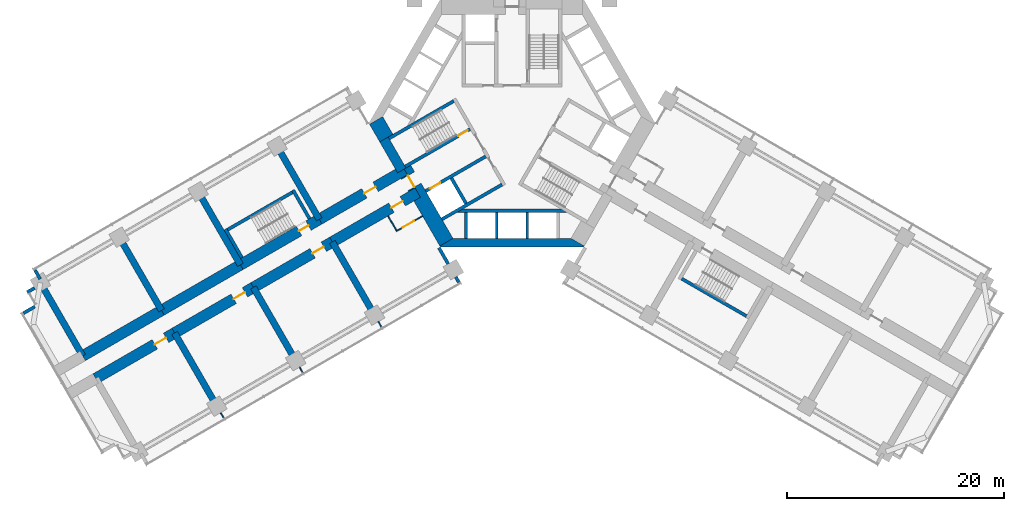
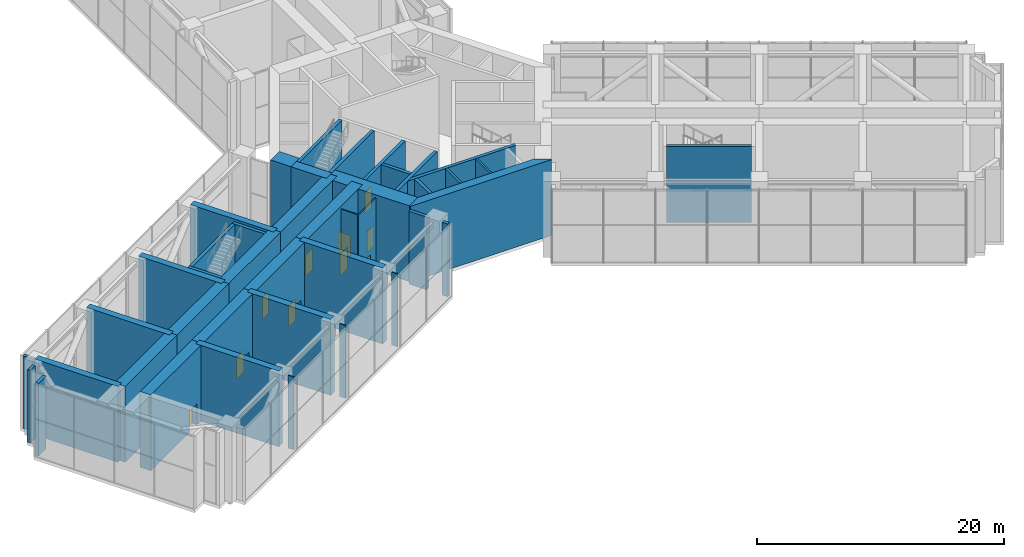
# One storey, part 13 of 19: 42 walls, 10 doors, 10 openings.
"""IFC4 building model written with IfcOpenShell, lengths in metres."""

from ifc_helpers import new_model, si_unit, direction, frame, frame_2d, origin, place, context, subcontext, project, spatial, polyline, rectangle, outline, extrude, material, layer, layer_set, type_object, element, fill, save


model = new_model("IFC4")

# Units and contexts
model_context = context("Model", 3, precision=1e-05, world=origin(), true_north=direction((0.0, 1.0)))
body_context = subcontext(model_context, "Body", "Model", "MODEL_VIEW")
ifc_project = project(units=[si_unit("LENGTHUNIT", "METRE"), si_unit("AREAUNIT", "SQUARE_METRE"), si_unit("VOLUMEUNIT", "CUBIC_METRE"), si_unit("PLANEANGLEUNIT", "RADIAN"), si_unit("MASSUNIT", "GRAM", prefix="KILO")], contexts=[model_context])

# Site, building, storey
site_placement = place(None, origin())
site = spatial("IfcSite", under=ifc_project, at=site_placement, CompositionType="ELEMENT")
building_placement = place(site_placement, origin())
building = spatial("IfcBuilding", under=site, at=building_placement, Name="Impinga Residences", CompositionType="ELEMENT")
storey_placement = place(building_placement, frame((0.0, 0.0, 93.5)))
storey = spatial("IfcBuildingStorey", under=building, at=storey_placement, Name="L23", CompositionType="ELEMENT", Elevation=93.5)

# Wall, opening, door
ifc_material_1 = material(Name="Concrete blockwork", Category="masonry")
ifc_layer_1 = layer(ifc_material_1, 0.10009765625)
ifc_layer_set_1 = layer_set([ifc_layer_1], Name="CP1 core room partition, blockwork 100")
wall_type_1 = type_object("IfcWallType", Name="CP1 core room partition, blockwork 100", PredefinedType="PARTITIONING", material=ifc_layer_set_1)
wall_1_placement = place(storey_placement, frame((-8.25, -8.57373046875, 0.0), z_axis=(0.0, 0.0, 1.0), x_axis=(-0.866034573852, -0.49998411664, 0.0)))
wall_1 = element("IfcWall", 1, at=wall_1_placement, inside=storey, type_object=wall_type_1, Name="Core room partition, blockwork L23-WA1:L1", PredefinedType="PARTITIONING", context=body_context, shape_type="SweptSolid", body=[
    extrude(rectangle(XDim=2.7998046875, YDim=0.10009765625, at=frame_2d((1.39990234375, 0.0))), origin(), (0.0, 0.0, 1.0), 7.199951171875),
])
opening_1_placement = place(wall_1_placement, frame((0.89990234375, 0.0, 0.0)))
opening_1 = element("IfcOpeningElement", 2, at=opening_1_placement, cuts=wall_1, Name="Opening D3", PredefinedType="OPENING", context=body_context, shape_type="SweptSolid", body=[
    extrude(rectangle(XDim=1.199951171875, YDim=2.10009765625, at=frame_2d((0.60009765625, 1.050048828125))), frame((0.0, 0.06005859375, 0.0), z_axis=(0.0, -1.0, 0.0), x_axis=(1.0, 0.0, 0.0)), (0.0, 0.0, 1.0), 0.1201171875),
])
ifc_material_2 = material(Name="Timber door set", Category="wood")
door_type_1 = type_object("IfcDoorType", Name="D3 room door, leaf and a half 1200x2100", OperationType="DOUBLE_SWING_LEFT", PredefinedType="DOOR", material=ifc_material_2)
door_1_placement = place(opening_1_placement, origin())
door_1 = element("IfcDoor", 3, at=door_1_placement, inside=storey, type_object=door_type_1, Name="Electrical switchgear plant room door L23-WA1", OperationType="DOUBLE_SWING_LEFT", OverallHeight=2.10009765625, OverallWidth=1.199951171875, PredefinedType="DOOR", context=body_context, shape_type="SweptSolid", body=[
    extrude(rectangle(XDim=1.199951171875, YDim=2.10009765625, at=frame_2d((0.60009765625, 1.050048828125))), frame((0.0, 0.02490234375, 0.0), z_axis=(0.0, -1.0, 0.0), x_axis=(1.0, 0.0, 0.0)), (0.0, 0.0, 1.0), 0.050048828125),
])
fill(opening_1, door_1)

# Walls
wall_2_placement = place(storey_placement, frame((-11.431640625, -8.56298828125, 0.0), z_axis=(0.0, 0.0, 1.0), x_axis=(0.500086022567, -0.865975732936, 0.0)))
element("IfcWall", 4, at=wall_2_placement, inside=storey, type_object=wall_type_1, Name="Core room partition, blockwork L23-WA1:L2", PredefinedType="PARTITIONING", context=body_context, shape_type="SweptSolid", body=[
    extrude(rectangle(XDim=1.550048828125, YDim=0.10009765625, at=frame_2d((0.77490234375, 0.0))), origin(), (0.0, 0.0, 1.0), 7.199951171875),
])
for number, where, z_axis, x_axis, name in (
    (5, (-12.32470703125, -18.316162109375, 0.0), (0.0, 0.0, 1.0), (0.499986818241, -0.866033014143, 0.0), "Core room partition, blockwork L23-WA1:PS1b"),
    (6, (-19.59912109375, -22.51611328125, 0.0), (0.0, 0.0, 1.0), (0.499659488908, -0.866221908719, 0.0), "Core room partition, blockwork L23-WA1:PS2b"),
):
    element("IfcWall", number, at=place(storey_placement, frame(where, z_axis=z_axis, x_axis=x_axis)), inside=storey, type_object=wall_type_1, Name=name, PredefinedType="PARTITIONING", context=body_context, shape_type="SweptSolid", body=[
        extrude(rectangle(XDim=0.5595703125, YDim=0.10009765625, at=frame_2d((0.27978515625, 0.0))), origin(), (0.0, 0.0, 1.0), 7.199951171875),
    ])
wall_3_placement = place(storey_placement, frame((-26.873779296875, -26.71630859375, 0.0), z_axis=(0.0, 0.0, 1.0), x_axis=(0.500175792954, -0.865923885883, 0.0)))
element("IfcWall", 7, at=wall_3_placement, inside=storey, type_object=wall_type_1, Name="Core room partition, blockwork L23-WA1:PS3b", PredefinedType="PARTITIONING", context=body_context, shape_type="SweptSolid", body=[
    extrude(rectangle(XDim=0.559326171875, YDim=0.10009765625, at=frame_2d((0.27978515625, 0.0))), origin(), (0.0, 0.0, 1.0), 7.199951171875),
])
ifc_material_3 = material(Name="Stone facing on blockwork", Category="masonry")
ifc_layer_2 = layer(ifc_material_3, 0.300048828125)
ifc_layer_set_2 = layer_set([ifc_layer_2], Name="EW2 external wall, stone facing on blockwork 300")
wall_type_2 = type_object("IfcWallType", Name="EW2 external wall, stone facing on blockwork 300", PredefinedType="SOLIDWALL", material=ifc_layer_set_2)
wall_4_placement = place(storey_placement, frame((-45.0615234375, -17.529296875, 0.0), z_axis=(0.0, 0.0, 1.0), x_axis=(0.865971428223, 0.500093476763, 0.0)))
element("IfcWall", 8, at=wall_4_placement, inside=storey, type_object=wall_type_2, Name="External wall EW2 L23", PredefinedType="SOLIDWALL", context=body_context, shape_type="SweptSolid", body=[
    extrude(rectangle(XDim=1.215087890625, YDim=0.300048828125, at=frame_2d((0.607421875, 0.0))), origin(), (0.0, 0.0, 1.0), 7.199951171875),
])
wall_5_placement = place(storey_placement, frame((-44.722412109375, -15.6015625, 0.0), z_axis=(0.0, 0.0, 1.0), x_axis=(0.865915193073, 0.500190841984, 0.0)))
element("IfcWall", 9, at=wall_5_placement, inside=storey, type_object=wall_type_2, Name="External wall EW2 L23", PredefinedType="SOLIDWALL", context=body_context, shape_type="SweptSolid", body=[
    extrude(rectangle(XDim=0.797119140625, YDim=0.300048828125, at=frame_2d((0.3984375, 0.0))), origin(), (0.0, 0.0, 1.0), 7.199951171875),
])
wall_6_placement = place(storey_placement, frame((-43.5185546875, -14.38671875, 0.0), z_axis=(0.0, 0.0, 1.0), x_axis=(-0.500060909899, 0.865990234582, 0.0)))
element("IfcWall", 10, at=wall_6_placement, inside=storey, type_object=wall_type_2, Name="External wall EW2 L23", PredefinedType="SOLIDWALL", context=body_context, shape_type="SweptSolid", body=[
    extrude(rectangle(XDim=0.95751953125, YDim=0.300048828125, at=frame_2d((0.478759765625, 0.0))), origin(), (0.0, 0.0, 1.0), 7.199951171875),
])
wall_7_placement = place(storey_placement, frame((-6.72998046875, -11.506591796875, 0.0), z_axis=(0.0, 0.0, 1.0), x_axis=(0.500062241894, -0.865989465428, 0.0)))
element("IfcWall", 11, at=wall_7_placement, inside=storey, type_object=wall_type_2, Name="External wall EW2 L23", PredefinedType="SOLIDWALL", context=body_context, shape_type="SweptSolid", body=[
    extrude(rectangle(XDim=1.699951171875, YDim=0.300048828125, at=frame_2d((0.85009765625, 0.0))), origin(), (0.0, 0.0, 1.0), 7.199951171875),
])
wall_8_placement = place(storey_placement, frame((-5.179931640625, -14.191162109375, 0.0), z_axis=(0.0, 0.0, 1.0), x_axis=(0.500000383388, -0.866025182435, 0.0)))
element("IfcWall", 12, at=wall_8_placement, inside=storey, type_object=wall_type_2, Name="External wall EW2 L23", PredefinedType="SOLIDWALL", context=body_context, shape_type="SweptSolid", body=[
    extrude(rectangle(XDim=0.5576171875, YDim=0.300048828125, at=frame_2d((0.27880859375, 0.0))), origin(), (0.0, 0.0, 1.0), 7.199951171875),
])

# Wall, opening, door
ifc_material_4 = material(Name="Concrete C60/75", Category="concrete")
ifc_layer_3 = layer(ifc_material_4, 1.0)
ifc_layer_set_3 = layer_set([ifc_layer_3], Name="Concrete C60/75")
wall_type_3 = type_object("IfcWallType", Name="OW1 outrigger wall on the corridor line 1000", PredefinedType="SHEAR", material=ifc_layer_set_3)
wall_9_placement = place(storey_placement, frame((-8.69384765625, -6.405029296875, 0.0), z_axis=(0.0, 0.0, 1.0), x_axis=(-0.866023855101, -0.500002682389, 0.0)))
wall_9 = element("IfcWall", 13, at=wall_9_placement, inside=storey, type_object=wall_type_3, Name="Corridor wall OW1 WC L23", PredefinedType="SHEAR", context=body_context, shape_type="SweptSolid", body=[
    extrude(rectangle(XDim=9.10009765625, YDim=1.0, at=frame_2d((4.550048828125, 0.0))), origin(), (0.0, 0.0, 1.0), 7.5),
])
opening_2_placement = place(wall_9_placement, frame((1.60009765625, 0.0, 0.0)))
opening_2 = element("IfcOpeningElement", 14, at=opening_2_placement, cuts=wall_9, Name="Opening D3", PredefinedType="OPENING", context=body_context, shape_type="SweptSolid", body=[
    extrude(rectangle(XDim=1.199951171875, YDim=2.10009765625, at=frame_2d((0.60009765625, 1.050048828125))), frame((0.0, 0.510009765625, 0.0), z_axis=(0.0, -1.0, 0.0), x_axis=(1.0, 0.0, 0.0)), (0.0, 0.0, 1.0), 1.02001953125),
])
door_2_placement = place(opening_2_placement, origin())
door_2 = element("IfcDoor", 15, at=door_2_placement, inside=storey, type_object=door_type_1, Name="Plant room lobby door L23-WA1", OperationType="DOUBLE_SWING_LEFT", OverallHeight=2.10009765625, OverallWidth=1.199951171875, PredefinedType="DOOR", context=body_context, shape_type="SweptSolid", body=[
    extrude(rectangle(XDim=1.199951171875, YDim=2.10009765625, at=frame_2d((0.60009765625, 1.050048828125))), frame((0.0, 0.02490234375, 0.0), z_axis=(0.0, -1.0, 0.0), x_axis=(1.0, 0.0, 0.0)), (0.0, 0.0, 1.0), 0.050048828125),
])
fill(opening_2, door_2)

wall_10_placement = place(storey_placement, frame((-16.57470703125, -10.955078125, 0.0), z_axis=(0.0, 0.0, 1.0), x_axis=(-0.866021988312, -0.500005915725, 0.0)))
wall_10 = element("IfcWall", 16, at=wall_10_placement, inside=storey, type_object=wall_type_3, Name="Corridor wall OW1 WC L23", PredefinedType="SHEAR", context=body_context, shape_type="SweptSolid", body=[
    extrude(rectangle(XDim=8.39990234375, YDim=1.0, at=frame_2d((4.199951171875, 0.0))), origin(), (0.0, 0.0, 1.0), 7.5),
])
opening_3_placement = place(wall_10_placement, frame((0.89990234375, 0.0, 0.0)))
opening_3 = element("IfcOpeningElement", 17, at=opening_3_placement, cuts=wall_10, Name="Opening D3", PredefinedType="OPENING", context=body_context, shape_type="SweptSolid", body=[
    extrude(rectangle(XDim=1.199951171875, YDim=2.10009765625, at=frame_2d((0.60009765625, 1.050048828125))), frame((0.0, 0.510009765625, 0.0), z_axis=(0.0, -1.0, 0.0), x_axis=(1.0, 0.0, 0.0)), (0.0, 0.0, 1.0), 1.02001953125),
])
door_3_placement = place(opening_3_placement, origin())
door_3 = element("IfcDoor", 18, at=door_3_placement, inside=storey, type_object=door_type_1, Name="Chilled water plant room door L23-WA1", OperationType="DOUBLE_SWING_LEFT", OverallHeight=2.10009765625, OverallWidth=1.199951171875, PredefinedType="DOOR", context=body_context, shape_type="SweptSolid", body=[
    extrude(rectangle(XDim=1.199951171875, YDim=2.10009765625, at=frame_2d((0.60009765625, 1.050048828125))), frame((0.0, 0.02490234375, 0.0), z_axis=(0.0, -1.0, 0.0), x_axis=(1.0, 0.0, 0.0)), (0.0, 0.0, 1.0), 0.050048828125),
])
fill(opening_3, door_3)

wall_11_placement = place(storey_placement, frame((-23.84912109375, -15.155029296875, 0.0), z_axis=(0.0, 0.0, 1.0), x_axis=(-0.86602925447, -0.499993330357, 0.0)))
wall_11 = element("IfcWall", 19, at=wall_11_placement, inside=storey, type_object=wall_type_3, Name="Corridor wall OW1 WC L23", PredefinedType="SHEAR", context=body_context, shape_type="SweptSolid", body=[
    extrude(rectangle(XDim=8.39990234375, YDim=1.0, at=frame_2d((4.199951171875, 0.0))), origin(), (0.0, 0.0, 1.0), 7.5),
])
opening_4_placement = place(wall_11_placement, frame((0.89990234375, 0.0, 0.0)))
opening_4 = element("IfcOpeningElement", 20, at=opening_4_placement, cuts=wall_11, Name="Opening D3", PredefinedType="OPENING", context=body_context, shape_type="SweptSolid", body=[
    extrude(rectangle(XDim=1.199951171875, YDim=2.10009765625, at=frame_2d((0.60009765625, 1.050048828125))), frame((0.0, 0.510009765625, 0.0), z_axis=(0.0, -1.0, 0.0), x_axis=(1.0, 0.0, 0.0)), (0.0, 0.0, 1.0), 1.02001953125),
])
door_4_placement = place(opening_4_placement, origin())
door_4 = element("IfcDoor", 21, at=door_4_placement, inside=storey, type_object=door_type_1, Name="Water tank plant room door L23-WA1", OperationType="DOUBLE_SWING_LEFT", OverallHeight=2.10009765625, OverallWidth=1.199951171875, PredefinedType="DOOR", context=body_context, shape_type="SweptSolid", body=[
    extrude(rectangle(XDim=1.199951171875, YDim=2.10009765625, at=frame_2d((0.60009765625, 1.050048828125))), frame((0.0, 0.02490234375, 0.0), z_axis=(0.0, -1.0, 0.0), x_axis=(1.0, 0.0, 0.0)), (0.0, 0.0, 1.0), 0.050048828125),
])
fill(opening_4, door_4)

wall_12_placement = place(storey_placement, frame((-31.123779296875, -19.35498046875, 0.0), z_axis=(0.0, 0.0, 1.0), x_axis=(-0.86602925447, -0.499993330357, 0.0)))
wall_12 = element("IfcWall", 22, at=wall_12_placement, inside=storey, type_object=wall_type_3, Name="Corridor wall OW1 WC L23", PredefinedType="SHEAR", context=body_context, shape_type="SweptSolid", body=[
    extrude(rectangle(XDim=8.39990234375, YDim=1.0, at=frame_2d((4.199951171875, 0.0))), origin(), (0.0, 0.0, 1.0), 7.5),
])
opening_5_placement = place(wall_12_placement, frame((0.89990234375, 0.0, 0.0)))
opening_5 = element("IfcOpeningElement", 23, at=opening_5_placement, cuts=wall_12, Name="Opening D3", PredefinedType="OPENING", context=body_context, shape_type="SweptSolid", body=[
    extrude(rectangle(XDim=1.199951171875, YDim=2.10009765625, at=frame_2d((0.60009765625, 1.050048828125))), frame((0.0, 0.510009765625, 0.0), z_axis=(0.0, -1.0, 0.0), x_axis=(1.0, 0.0, 0.0)), (0.0, 0.0, 1.0), 1.02001953125),
])
door_5_placement = place(opening_5_placement, origin())
door_5 = element("IfcDoor", 24, at=door_5_placement, inside=storey, type_object=door_type_1, Name="Air handling plant room door L23-WA1", OperationType="DOUBLE_SWING_LEFT", OverallHeight=2.10009765625, OverallWidth=1.199951171875, PredefinedType="DOOR", context=body_context, shape_type="SweptSolid", body=[
    extrude(rectangle(XDim=1.199951171875, YDim=2.10009765625, at=frame_2d((0.60009765625, 1.050048828125))), frame((0.0, 0.02490234375, 0.0), z_axis=(0.0, -1.0, 0.0), x_axis=(1.0, 0.0, 0.0)), (0.0, 0.0, 1.0), 0.050048828125),
])
fill(opening_5, door_5)

wall_13_placement = place(storey_placement, frame((-9.893798828125, -4.326416015625, 0.0), z_axis=(0.0, 0.0, 1.0), x_axis=(-0.866023855101, -0.500002682389, 0.0)))
wall_13 = element("IfcWall", 25, at=wall_13_placement, inside=storey, type_object=wall_type_3, Name="Corridor wall OW1 WD L23", PredefinedType="SHEAR", context=body_context, shape_type="SweptSolid", body=[
    extrude(rectangle(XDim=9.10009765625, YDim=1.0, at=frame_2d((4.550048828125, 0.0))), origin(), (0.0, 0.0, 1.0), 7.5),
])
opening_6_placement = place(wall_13_placement, frame((3.10009765625, 0.0, 0.0)))
opening_6 = element("IfcOpeningElement", 26, at=opening_6_placement, cuts=wall_13, Name="Opening D3", PredefinedType="OPENING", context=body_context, shape_type="SweptSolid", body=[
    extrude(rectangle(XDim=1.199951171875, YDim=2.10009765625, at=frame_2d((0.60009765625, 1.050048828125))), frame((0.0, 0.510009765625, 0.0), z_axis=(0.0, -1.0, 0.0), x_axis=(1.0, 0.0, 0.0)), (0.0, 0.0, 1.0), 1.02001953125),
])
door_6_placement = place(opening_6_placement, origin())
door_6 = element("IfcDoor", 27, at=door_6_placement, inside=storey, type_object=door_type_1, Name="Refuge area door L23-WF1", OperationType="DOUBLE_SWING_LEFT", OverallHeight=2.10009765625, OverallWidth=1.199951171875, PredefinedType="DOOR", context=body_context, shape_type="SweptSolid", body=[
    extrude(rectangle(XDim=1.199951171875, YDim=2.10009765625, at=frame_2d((0.60009765625, 1.050048828125))), frame((0.0, 0.02490234375, 0.0), z_axis=(0.0, -1.0, 0.0), x_axis=(1.0, 0.0, 0.0)), (0.0, 0.0, 1.0), 0.050048828125),
])
fill(opening_6, door_6)

wall_14_placement = place(storey_placement, frame((-17.774658203125, -8.87646484375, 0.0), z_axis=(0.0, 0.0, 1.0), x_axis=(-0.86602925447, -0.499993330357, 0.0)))
wall_14 = element("IfcWall", 28, at=wall_14_placement, inside=storey, type_object=wall_type_3, Name="Corridor wall OW1 WD L23", PredefinedType="SHEAR", context=body_context, shape_type="SweptSolid", body=[
    extrude(rectangle(XDim=8.39990234375, YDim=1.0, at=frame_2d((4.199951171875, 0.0))), origin(), (0.0, 0.0, 1.0), 7.5),
])
opening_7_placement = place(wall_14_placement, frame((1.14990234375, 0.0, 0.0)))
opening_7 = element("IfcOpeningElement", 29, at=opening_7_placement, cuts=wall_14, Name="Opening D5", PredefinedType="OPENING", context=body_context, shape_type="SweptSolid", body=[
    extrude(rectangle(XDim=1.0, YDim=2.10009765625, at=frame_2d((0.5, 1.050048828125))), frame((0.0, 0.510009765625, 0.0), z_axis=(0.0, -1.0, 0.0), x_axis=(1.0, 0.0, 0.0)), (0.0, 0.0, 1.0), 1.02001953125),
])
door_type_2 = type_object("IfcDoorType", Name="D5 stair door 1000x2100", OperationType="SINGLE_SWING_LEFT", PredefinedType="DOOR", material=ifc_material_2)
door_7_placement = place(opening_7_placement, origin())
door_7 = element("IfcDoor", 30, at=door_7_placement, inside=storey, type_object=door_type_2, Name="Wing stair door W", OperationType="SINGLE_SWING_LEFT", OverallHeight=2.10009765625, OverallWidth=1.0, PredefinedType="DOOR", context=body_context, shape_type="SweptSolid", body=[
    extrude(rectangle(XDim=1.0, YDim=2.10009765625, at=frame_2d((0.5, 1.050048828125))), frame((0.0, 0.02490234375, 0.0), z_axis=(0.0, -1.0, 0.0), x_axis=(1.0, 0.0, 0.0)), (0.0, 0.0, 1.0), 0.050048828125),
])
fill(opening_7, door_7)

# Walls
for number, where, z_axis, x_axis, name in (
    (31, (-25.04931640625, -13.076416015625, 0.0), (0.0, 0.0, 1.0), (-0.866009402589, -0.500027713859, 0.0), "Corridor wall OW1 WD L23"),
    (32, (-32.32373046875, -17.276611328125, 0.0), (0.0, 0.0, 1.0), (-0.86602925447, -0.499993330357, 0.0), "Corridor wall OW1 WD L23"),
):
    element("IfcWall", number, at=place(storey_placement, frame(where, z_axis=z_axis, x_axis=x_axis)), inside=storey, type_object=wall_type_3, Name=name, PredefinedType="SHEAR", context=body_context, shape_type="SweptSolid", body=[
        extrude(rectangle(XDim=8.39990234375, YDim=1.0, at=frame_2d((4.199951171875, 0.0))), origin(), (0.0, 0.0, 1.0), 7.5),
    ])
ifc_layer_4 = layer(ifc_material_4, 0.60009765625)
ifc_layer_set_4 = layer_set([ifc_layer_4], Name="Concrete C60/75")
wall_type_4 = type_object("IfcWallType", Name="OW2 outrigger arm wall to the perimeter columns 600", PredefinedType="SHEAR", material=ifc_layer_set_4)
wall_15_placement = place(storey_placement, frame((-16.57470703125, -10.955078125, 0.0), z_axis=(0.0, 0.0, 1.0), x_axis=(0.500020487837, -0.866013574803, 0.0)))
element("IfcWall", 33, at=wall_15_placement, inside=storey, type_object=wall_type_4, Name="Outrigger wall OW2 W2/WA L23", PredefinedType="SHEAR", context=body_context, shape_type="SweptSolid", body=[
    extrude(rectangle(XDim=7.800048828125, YDim=0.60009765625, at=frame_2d((3.89990234375, 0.0))), origin(), (0.0, 0.0, 1.0), 7.5),
])
for number, where, z_axis, x_axis, name in (
    (34, (-17.774658203125, -8.87646484375, 0.0), (0.0, 0.0, 1.0), (-0.499997012787, 0.866027128446, 0.0), "Outrigger wall OW2 W2/WF L23"),
    (35, (-23.84912109375, -15.155029296875, 0.0), (0.0, 0.0, 1.0), (0.499997012787, -0.866027128446, 0.0), "Outrigger wall OW2 W3/WA L23"),
    (36, (-25.04931640625, -13.076416015625, 0.0), (0.0, 0.0, 1.0), (-0.499997012787, 0.866027128446, 0.0), "Outrigger wall OW2 W3/WF L23"),
):
    element("IfcWall", number, at=place(storey_placement, frame(where, z_axis=z_axis, x_axis=x_axis)), inside=storey, type_object=wall_type_4, Name=name, PredefinedType="SHEAR", context=body_context, shape_type="SweptSolid", body=[
        extrude(rectangle(XDim=7.7998046875, YDim=0.60009765625, at=frame_2d((3.89990234375, 0.0))), origin(), (0.0, 0.0, 1.0), 7.5),
    ])
wall_16_placement = place(storey_placement, frame((-31.123779296875, -19.35498046875, 0.0), z_axis=(0.0, 0.0, 1.0), x_axis=(0.499983459557, -0.866034953203, 0.0)))
element("IfcWall", 37, at=wall_16_placement, inside=storey, type_object=wall_type_4, Name="Outrigger wall OW2 W4/WA L23", PredefinedType="SHEAR", context=body_context, shape_type="SweptSolid", body=[
    extrude(rectangle(XDim=7.800048828125, YDim=0.60009765625, at=frame_2d((3.89990234375, 0.0))), origin(), (0.0, 0.0, 1.0), 7.5),
])
for number, where, z_axis, x_axis, name in (
    (38, (-32.32373046875, -17.276611328125, 0.0), (0.0, 0.0, 1.0), (-0.500006934395, 0.866021400173, 0.0), "Outrigger wall OW2 W4/WF L23"),
    (39, (-39.598388671875, -21.4765625, 0.0), (0.0, 0.0, 1.0), (-0.500006934395, 0.866021400173, 0.0), "Outrigger wall OW2 W5/WF L23"),
):
    element("IfcWall", number, at=place(storey_placement, frame(where, z_axis=z_axis, x_axis=x_axis)), inside=storey, type_object=wall_type_4, Name=name, PredefinedType="SHEAR", context=body_context, shape_type="SweptSolid", body=[
        extrude(rectangle(XDim=7.80029296875, YDim=0.60009765625, at=frame_2d((3.900146484375, 0.0))), origin(), (0.0, 0.0, 1.0), 7.5),
    ])
ifc_layer_5 = layer(ifc_material_4, 0.300048828125)
ifc_layer_set_5 = layer_set([ifc_layer_5], Name="Concrete C60/75")
wall_type_5 = type_object("IfcWallType", Name="SE1 wing stair enclosure wall 300", PredefinedType="SOLIDWALL", material=ifc_layer_set_5)
for number, where, z_axis, x_axis, name in (
    (40, (-18.674072265625, -8.818603515625, 0.0), (0.0, 0.0, 1.0), (-0.500038867431, 0.8660029625, 0.0), "Stair enclosure wall SE1 W END0 L23"),
    (41, (-24.909423828125, -12.41845703125, 0.0), (0.0, 0.0, 1.0), (-0.500038867431, 0.8660029625, 0.0), "Stair enclosure wall SE1 W END1 L23"),
):
    element("IfcWall", number, at=place(storey_placement, frame(where, z_axis=z_axis, x_axis=x_axis)), inside=storey, type_object=wall_type_5, Name=name, PredefinedType="SOLIDWALL", context=body_context, shape_type="SweptSolid", body=[
        extrude(rectangle(XDim=3.050048828125, YDim=0.300048828125, at=frame_2d((1.52490234375, 0.0))), origin(), (0.0, 0.0, 1.0), 7.5),
    ])
wall_17_placement = place(storey_placement, frame((-20.254150390625, -6.382080078125, 0.0), z_axis=(0.0, 0.0, 1.0), x_axis=(-0.866020008033, -0.500009345598, 0.0)))
element("IfcWall", 42, at=wall_17_placement, inside=storey, type_object=wall_type_5, Name="Stair enclosure wall SE1 W OUT L23", PredefinedType="SOLIDWALL", context=body_context, shape_type="SweptSolid", body=[
    extrude(rectangle(XDim=6.899658203125, YDim=0.300048828125, at=frame_2d((3.44970703125, 0.0))), origin(), (0.0, 0.0, 1.0), 7.5),
])
wall_18_placement = place(storey_placement, frame((15.654052734375, -14.349365234375, 0.0), z_axis=(0.0, 0.0, 1.0), x_axis=(0.866013532718, -0.500020560727, 0.0)))
element("IfcWall", 43, at=wall_18_placement, inside=storey, type_object=wall_type_5, Name="Stair enclosure wall SE1 E OUT L23", PredefinedType="SOLIDWALL", context=body_context, shape_type="SweptSolid", body=[
    extrude(rectangle(XDim=6.900146484375, YDim=0.300048828125, at=frame_2d((3.4501953125, 0.0))), origin(), (0.0, 0.0, 1.0), 7.5),
])
ifc_material_5 = material(Name="Concrete C70/85", Category="concrete")
ifc_layer_6 = layer(ifc_material_5, 0.89990234375)
ifc_layer_set_6 = layer_set([ifc_layer_6], Name="Concrete C70/85")
wall_type_6 = type_object("IfcWallType", Name="SW1 core wall 900", PredefinedType="SHEAR", material=ifc_layer_set_6)
wall_19_placement = place(storey_placement, frame((-10.160400390625, -4.364990234375, 0.0), z_axis=(0.0, 0.0, 1.0), x_axis=(-0.499974350878, 0.866040211805, 0.0)))
element("IfcWall", 44, at=wall_19_placement, inside=storey, type_object=wall_type_6, Name="Core wall SW1 W:FACE:ST L23", PredefinedType="SHEAR", context=body_context, shape_type="SweptSolid", body=[
    extrude(rectangle(XDim=3.300048828125, YDim=0.89990234375, at=frame_2d((1.64990234375, 0.0))), origin(), (0.0, 0.0, 1.0), 7.5),
])
ifc_layer_7 = layer(ifc_material_4, 0.800048828125)
ifc_layer_set_7 = layer_set([ifc_layer_7], Name="Concrete C60/75")
wall_type_7 = type_object("IfcWallType", Name="SW2 core wall 800", PredefinedType="SHEAR", material=ifc_layer_set_7)
wall_20_placement = place(storey_placement, origin())
element("IfcWall", 45, at=wall_20_placement, inside=storey, type_object=wall_type_7, Name="Core wall SW2 N:EXPOSED L23", PredefinedType="SHEAR", context=body_context, shape_type="SweptSolid", body=[
    extrude(outline(polyline([(-6.60009765625, -11.431640625), (6.60009765625, -11.431640625), (6.65771484375, -11.33154296875), (5.4453125, -10.631591796875), (-5.4453125, -10.631591796875), (-6.65771484375, -11.33154296875), (-6.60009765625, -11.431640625)])), origin(), (0.0, 0.0, 1.0), 7.5),
])

# Wall, opening, door
ifc_layer_8 = layer(ifc_material_5, 0.300048828125)
ifc_layer_set_8 = layer_set([ifc_layer_8], Name="Concrete C70/85")
wall_type_8 = type_object("IfcWallType", Name="SW5 core inner wall, stairs, shafts and lobbies 300", PredefinedType="SHEAR", material=ifc_layer_set_8)
wall_21_placement = place(storey_placement, frame((-3.86865234375, -0.559326171875, 0.0), z_axis=(0.0, 0.0, 1.0), x_axis=(-0.86602711848, -0.499997030048, 0.0)))
wall_21 = element("IfcWall", 46, at=wall_21_placement, inside=storey, type_object=wall_type_8, Name="Core wall SW5 W:ST-IN L23", PredefinedType="SHEAR", context=body_context, shape_type="SweptSolid", body=[
    extrude(rectangle(XDim=6.9013671875, YDim=0.300048828125, at=frame_2d((3.45068359375, 0.0))), origin(), (0.0, 0.0, 1.0), 7.5),
])
opening_8_placement = place(wall_21_placement, frame((0.25, 0.0, 0.0)))
opening_8 = element("IfcOpeningElement", 47, at=opening_8_placement, cuts=wall_21, Name="Opening D5", PredefinedType="OPENING", context=body_context, shape_type="SweptSolid", body=[
    extrude(rectangle(XDim=1.0, YDim=2.10009765625, at=frame_2d((0.5, 1.050048828125))), frame((0.0, 0.159912109375, 0.0), z_axis=(0.0, -1.0, 0.0), x_axis=(1.0, 0.0, 0.0)), (0.0, 0.0, 1.0), 0.320068359375),
])
door_8_placement = place(opening_8_placement, origin())
door_8 = element("IfcDoor", 48, at=door_8_placement, inside=storey, type_object=door_type_2, Name="Stair door W", OperationType="SINGLE_SWING_LEFT", OverallHeight=2.10009765625, OverallWidth=1.0, PredefinedType="DOOR", context=body_context, shape_type="SweptSolid", body=[
    extrude(rectangle(XDim=1.0, YDim=2.10009765625, at=frame_2d((0.5, 1.050048828125))), frame((0.0, 0.02490234375, 0.0), z_axis=(0.0, -1.0, 0.0), x_axis=(1.0, 0.0, 0.0)), (0.0, 0.0, 1.0), 0.050048828125),
])
fill(opening_8, door_8)

# Wall
wall_22_placement = place(storey_placement, frame((-5.36865234375, 2.038818359375, 0.0), z_axis=(0.0, 0.0, 1.0), x_axis=(-0.86602711848, -0.499997030048, 0.0)))
element("IfcWall", 49, at=wall_22_placement, inside=storey, type_object=wall_type_8, Name="Core wall SW5 W:ST-OUT L23", PredefinedType="SHEAR", context=body_context, shape_type="SweptSolid", body=[
    extrude(rectangle(XDim=6.9013671875, YDim=0.300048828125, at=frame_2d((3.45068359375, 0.0))), origin(), (0.0, 0.0, 1.0), 7.5),
])

# Wall, opening, door
wall_23_placement = place(storey_placement, frame((-2.418701171875, -3.07080078125, 0.0), z_axis=(0.0, 0.0, 1.0), x_axis=(-0.866033163891, -0.499986558861, 0.0)))
wall_23 = element("IfcWall", 50, at=wall_23_placement, inside=storey, type_object=wall_type_8, Name="Core wall SW5 W:FF-IN L23", PredefinedType="SHEAR", context=body_context, shape_type="SweptSolid", body=[
    extrude(rectangle(XDim=6.401611328125, YDim=0.300048828125, at=frame_2d((3.20068359375, 0.0))), origin(), (0.0, 0.0, 1.0), 7.5),
])
opening_9_placement = place(wall_23_placement, frame((4.85009765625, 0.0, 0.0)))
opening_9 = element("IfcOpeningElement", 51, at=opening_9_placement, cuts=wall_23, Name="Opening LD2", PredefinedType="OPENING", context=body_context, shape_type="SweptSolid", body=[
    extrude(rectangle(XDim=1.10009765625, YDim=2.10009765625, at=frame_2d((0.550048828125, 1.050048828125))), frame((0.0, 0.159912109375, 0.0), z_axis=(0.0, -1.0, 0.0), x_axis=(1.0, 0.0, 0.0)), (0.0, 0.0, 1.0), 0.320068359375),
])
ifc_material_6 = material(Name="Steel lift landing door", Category="steel")
door_type_3 = type_object("IfcDoorType", Name="LD2 firefighting lift landing door 1100x2100", OperationType="DOUBLE_DOOR_SLIDING", PredefinedType="DOOR", material=ifc_material_6)
door_9_placement = place(opening_9_placement, origin())
door_9 = element("IfcDoor", 52, at=door_9_placement, inside=storey, type_object=door_type_3, Name="Firefighting lift landing door F2", OperationType="DOUBLE_DOOR_SLIDING", OverallHeight=2.10009765625, OverallWidth=1.10009765625, PredefinedType="DOOR", context=body_context, shape_type="SweptSolid", body=[
    extrude(rectangle(XDim=1.10009765625, YDim=2.10009765625, at=frame_2d((0.550048828125, 1.050048828125))), frame((0.0, 0.02490234375, 0.0), z_axis=(0.0, -1.0, 0.0), x_axis=(1.0, 0.0, 0.0)), (0.0, 0.0, 1.0), 0.050048828125),
])
fill(opening_9, door_9)

# Walls
wall_24_placement = place(storey_placement, frame((-0.918701171875, -5.668701171875, 0.0), z_axis=(0.0, 0.0, 1.0), x_axis=(-0.866016649877, -0.500015161905, 0.0)))
element("IfcWall", 53, at=wall_24_placement, inside=storey, type_object=wall_type_8, Name="Core wall SW5 W:FF-OUT L23", PredefinedType="SHEAR", context=body_context, shape_type="SweptSolid", body=[
    extrude(rectangle(XDim=6.401611328125, YDim=0.300048828125, at=frame_2d((3.20068359375, 0.0))), origin(), (0.0, 0.0, 1.0), 7.5),
])
wall_25_placement = place(storey_placement, frame((-4.2412109375, -7.413818359375, 0.0), z_axis=(0.0, 0.0, 1.0), x_axis=(-0.500048589285, 0.86599734893, 0.0)))
element("IfcWall", 54, at=wall_25_placement, inside=storey, type_object=wall_type_8, Name="Core wall SW5 W:FF-RS L23", PredefinedType="SHEAR", context=body_context, shape_type="SweptSolid", body=[
    extrude(rectangle(XDim=2.699951171875, YDim=0.300048828125, at=frame_2d((1.35009765625, 0.0))), origin(), (0.0, 0.0, 1.0), 7.5),
])
wall_26_placement = place(storey_placement, frame((5.09765625, -8.08154296875, 0.0), z_axis=(0.0, 0.0, 1.0), x_axis=(-1.0, 0.0, 0.0)))
element("IfcWall", 55, at=wall_26_placement, inside=storey, type_object=wall_type_8, Name="Core wall SW5 N:BANK-FRONT L23", PredefinedType="SHEAR", context=body_context, shape_type="SweptSolid", body=[
    extrude(rectangle(XDim=10.1953125, YDim=0.300048828125, at=frame_2d((5.09765625, 0.0))), origin(), (0.0, 0.0, 1.0), 7.5),
])
wall_27_placement = place(storey_placement, frame((-4.25, -8.2314453125, 0.0), z_axis=(0.0, 0.0, 1.0), x_axis=(0.0, -1.0, 0.0)))
element("IfcWall", 56, at=wall_27_placement, inside=storey, type_object=wall_type_8, Name="Core wall SW5 N:BANK-R L23", PredefinedType="SHEAR", context=body_context, shape_type="SweptSolid", body=[
    extrude(rectangle(XDim=2.400146484375, YDim=0.300048828125, at=frame_2d((1.2001953125, 0.0))), origin(), (0.0, 0.0, 1.0), 7.5),
])
ifc_layer_9 = layer(ifc_material_5, 0.199951171875)
ifc_layer_set_9 = layer_set([ifc_layer_9], Name="Concrete C70/85")
wall_type_9 = type_object("IfcWallType", Name="SW6 lift shaft divider wall 200", PredefinedType="SHEAR", material=ifc_layer_set_9)
for number, where, z_axis, x_axis, name in (
    (57, (1.39990234375, -8.2314453125, 0.0), (0.0, 0.0, 1.0), (0.0, -1.0, 0.0), "Core wall SW6 N:BANK-D1 L23"),
    (58, (-1.39990234375, -8.2314453125, 0.0), (0.0, 0.0, 1.0), (0.0, -1.0, 0.0), "Core wall SW6 N:BANK-D2 L23"),
):
    element("IfcWall", number, at=place(storey_placement, frame(where, z_axis=z_axis, x_axis=x_axis)), inside=storey, type_object=wall_type_9, Name=name, PredefinedType="SHEAR", context=body_context, shape_type="SweptSolid", body=[
        extrude(rectangle(XDim=2.400146484375, YDim=0.199951171875, at=frame_2d((1.2001953125, 0.0))), origin(), (0.0, 0.0, 1.0), 7.5),
    ])

# Wall, opening, door
ifc_layer_10 = layer(ifc_material_4, 1.39990234375)
ifc_layer_set_10 = layer_set([ifc_layer_10], Name="Concrete C60/75")
wall_type_10 = type_object("IfcWallType", Name="SW8 core wall, outrigger storey L23 wing faces 1400", PredefinedType="SHEAR", material=ifc_layer_set_10)
wall_28_placement = place(storey_placement, frame((-6.051513671875, -10.9814453125, 0.0), z_axis=(0.0, 0.0, 1.0), x_axis=(-0.500014748611, 0.866016888502, 0.0)))
wall_28 = element("IfcWall", 59, at=wall_28_placement, inside=storey, type_object=wall_type_10, Name="Core wall SW8 W:FACE L23", PredefinedType="SHEAR", context=body_context, shape_type="SweptSolid", body=[
    extrude(rectangle(XDim=7.784423828125, YDim=1.39990234375, at=frame_2d((3.89208984375, 0.0))), origin(), (0.0, 0.0, 1.0), 7.5),
])
opening_10_placement = place(wall_28_placement, frame((5.884521484375, 0.0, 0.0)))
opening_10 = element("IfcOpeningElement", 60, at=opening_10_placement, cuts=wall_28, Name="Opening D9", PredefinedType="OPENING", context=body_context, shape_type="SweptSolid", body=[
    extrude(rectangle(XDim=1.199951171875, YDim=2.10009765625, at=frame_2d((0.60009765625, 1.050048828125))), frame((0.0, 0.7099609375, 0.0), z_axis=(0.0, -1.0, 0.0), x_axis=(1.0, 0.0, 0.0)), (0.0, 0.0, 1.0), 1.419921875),
])
door_type_4 = type_object("IfcDoorType", Name="D9 firefighting lobby door, leaf and a half 1200x2100", OperationType="DOUBLE_SWING_LEFT", PredefinedType="DOOR", material=ifc_material_2)
door_10_placement = place(opening_10_placement, origin())
door_10 = element("IfcDoor", 61, at=door_10_placement, inside=storey, type_object=door_type_4, Name="Lobby door W", OperationType="DOUBLE_SWING_LEFT", OverallHeight=2.10009765625, OverallWidth=1.199951171875, PredefinedType="DOOR", context=body_context, shape_type="SweptSolid", body=[
    extrude(rectangle(XDim=1.199951171875, YDim=2.10009765625, at=frame_2d((0.60009765625, 1.050048828125))), frame((0.0, 0.02490234375, 0.0), z_axis=(0.0, -1.0, 0.0), x_axis=(1.0, 0.0, 0.0)), (0.0, 0.0, 1.0), 0.050048828125),
])
fill(opening_10, door_10)

# Wall
wall_29_placement = place(storey_placement, frame((-11.59375, -1.382080078125, 0.0), z_axis=(0.0, 0.0, 1.0), x_axis=(-0.500040169509, 0.866002210665, 0.0)))
element("IfcWall", 62, at=wall_29_placement, inside=storey, type_object=wall_type_10, Name="Core wall SW8 W:FACE:E L23", PredefinedType="SHEAR", context=body_context, shape_type="SweptSolid", body=[
    extrude(rectangle(XDim=1.884521484375, YDim=1.39990234375, at=frame_2d((0.9423828125, 0.0))), origin(), (0.0, 0.0, 1.0), 7.5),
])

save(model, "model.ifc")
